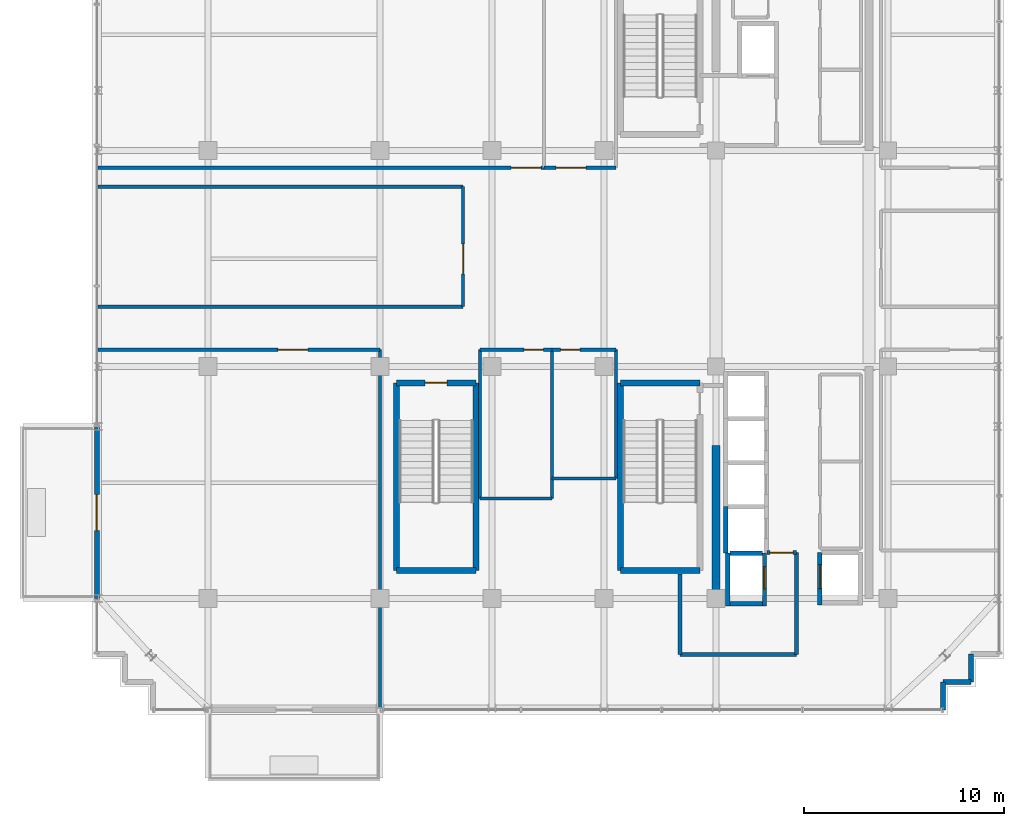
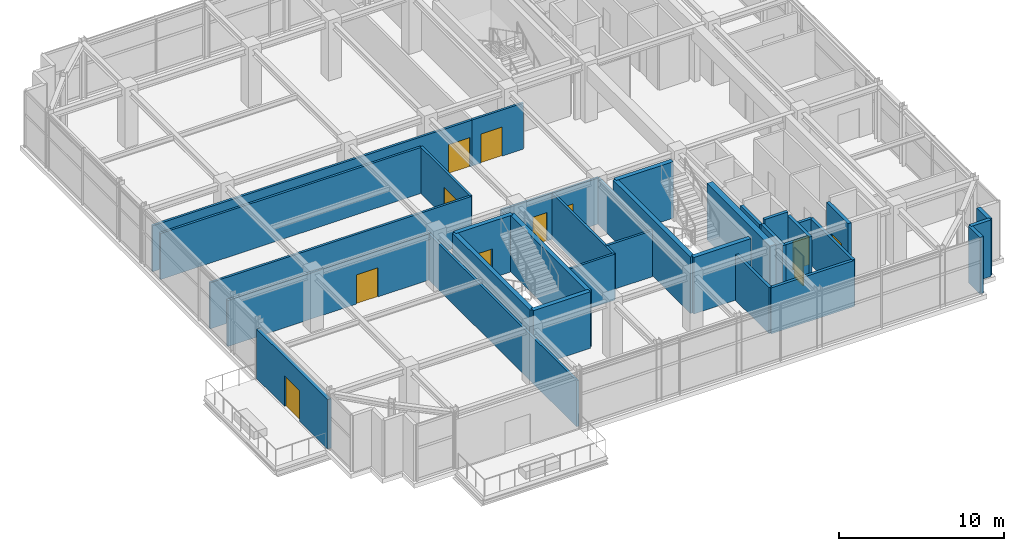
# One storey, part 19 of 25: 36 walls, 11 doors, 11 openings.
"""IFC4 building model written with IfcOpenShell, lengths in metres."""

from ifc_helpers import new_model, si_unit, direction, frame, frame_2d, origin, place, context, subcontext, project, spatial, rectangle, extrude, source, transform, mapped, material, layer, layer_set, type_object, element, fill, save


model = new_model("IFC4")

# Units and contexts
model_context = context("Model", 3, precision=1e-05, world=origin(), true_north=direction((0.0, 1.0)))
body_context = subcontext(model_context, "Body", "Model", "MODEL_VIEW")
ifc_project = project(units=[si_unit("LENGTHUNIT", "METRE"), si_unit("AREAUNIT", "SQUARE_METRE"), si_unit("VOLUMEUNIT", "CUBIC_METRE"), si_unit("PLANEANGLEUNIT", "RADIAN"), si_unit("MASSUNIT", "GRAM", prefix="KILO")], contexts=[model_context])

# Site, building, storey
site_placement = place(None, origin())
site = spatial("IfcSite", under=ifc_project, at=site_placement, CompositionType="ELEMENT")
building_placement = place(site_placement, origin())
building = spatial("IfcBuilding", under=site, at=building_placement, Name="Nahalor Promenade Grand Hotel", CompositionType="ELEMENT")
storey_placement = place(building_placement, frame((0.0, 0.0, 338.550048828125)))
storey = spatial("IfcBuildingStorey", under=building, at=storey_placement, Name="L87", CompositionType="ELEMENT", Elevation=338.550048828125)

# Walls
ifc_material_1 = material(Name="Concrete B-50 (C40/50)", Category="concrete")
ifc_layer_1 = layer(ifc_material_1, 0.39990234375)
ifc_layer_set_1 = layer_set([ifc_layer_1], Name="Concrete B-50 (C40/50)")
wall_type_1 = type_object("IfcWallType", Name="Wall-CoreShear-400", PredefinedType="SHEAR", material=ifc_layer_set_1)
shared_shape_1 = source(origin(), body_context, "Body", "SweptSolid", [
    extrude(rectangle(XDim=7.64990234375, YDim=0.39990234375, at=frame_2d((3.824951171875, 0.0))), origin(), (0.0, 0.0, 1.0), 4.169921875),
])
wall_1_placement = place(storey_placement, frame((8.39990234375, -17.0, 0.0), z_axis=(0.0, 0.0, 1.0), x_axis=(0.0, 1.0, 0.0)))
element("IfcWall", 1, at=wall_1_placement, inside=storey, type_object=wall_type_1, Name="CWALL-L87-SW", PredefinedType="SHEAR", context=body_context, shape_type="MappedRepresentation", body=[
    mapped(shared_shape_1, transform((0.0, 0.0, 0.0), scale=1.0)),
])
ifc_layer_2 = layer(ifc_material_1, 0.300048828125)
ifc_layer_set_2 = layer_set([ifc_layer_2], Name="Concrete B-50 (C40/50)")
wall_type_2 = type_object("IfcWallType", Name="Wall-ShaftShear-300", PredefinedType="SHEAR", material=ifc_layer_set_2)
shared_shape_2 = source(origin(), body_context, "Body", "SweptSolid", [
    extrude(rectangle(XDim=3.97998046875, YDim=0.300048828125, at=frame_2d((1.989990234375, 0.0))), origin(), (0.0, 0.0, 1.0), 4.169921875),
])
for number, where, z_axis, x_axis, name in (
    (2, (3.610107421875, -15.590087890625, 0.0), (0.0, 0.0, 1.0), (1.0, 0.0, 0.0), "L87 Exit Stair ST2 Shaft Wall S"),
    (3, (3.610107421875, -6.2099609375, 0.0), (0.0, 0.0, 1.0), (1.0, 0.0, 0.0), "L87 Exit Stair ST2 Shaft Wall N"),
    (4, (-7.590087890625, -15.590087890625, 0.0), (0.0, 0.0, 1.0), (1.0, 0.0, 0.0), "L87 Exit Stair ST3 Shaft Wall S"),
):
    element("IfcWall", number, at=place(storey_placement, frame(where, z_axis=z_axis, x_axis=x_axis)), inside=storey, type_object=wall_type_2, Name=name, PredefinedType="SHEAR", context=body_context, shape_type="MappedRepresentation", body=[
        mapped(shared_shape_2, transform((0.0, 0.0, 0.0), scale=1.0)),
    ])

# Wall, opening, door
wall_2_placement = place(storey_placement, frame((-7.590087890625, -6.2099609375, 0.0), z_axis=(0.0, 0.0, 1.0), x_axis=(1.0, 0.0, 0.0)))
wall_2 = element("IfcWall", 5, at=wall_2_placement, inside=storey, type_object=wall_type_2, Name="L87 Exit Stair ST3 Shaft Wall N", PredefinedType="SHEAR", context=body_context, shape_type="MappedRepresentation", body=[
    mapped(shared_shape_2, transform((0.0, 0.0, 0.0), scale=1.0)),
])
opening_1_placement = place(wall_2_placement, frame((1.43994140625, 0.0, 0.0)))
opening_1 = element("IfcOpeningElement", 6, at=opening_1_placement, cuts=wall_2, Name="Opening D-ST1", PredefinedType="OPENING", context=body_context, shape_type="SweptSolid", body=[
    extrude(rectangle(XDim=1.10009765625, YDim=2.14990234375, at=frame_2d((0.550048828125, 1.074951171875))), frame((0.0, 0.159912109375, 0.0), z_axis=(0.0, -1.0, 0.0), x_axis=(1.0, 0.0, 0.0)), (0.0, 0.0, 1.0), 0.320068359375),
])
ifc_material_2 = material(Name="Steel S355JR", Category="steel")
door_type_1 = type_object("IfcDoorType", Name="Door-StairFire-1100", OperationType="NOTDEFINED", PredefinedType="DOOR", material=ifc_material_2)
shared_shape_3 = source(origin(), body_context, "Body", "SweptSolid", [
    extrude(rectangle(XDim=1.10009765625, YDim=2.14990234375, at=frame_2d((0.550048828125, 1.074951171875))), frame((0.0, 0.02490234375, 0.0), z_axis=(0.0, -1.0, 0.0), x_axis=(1.0, 0.0, 0.0)), (0.0, 0.0, 1.0), 0.050048828125),
])
door_1_placement = place(opening_1_placement, frame((1.10009765625, 0.0, 0.0), z_axis=(0.0, 0.0, 1.0), x_axis=(-1.0, 0.0, 0.0)))
door_1 = element("IfcDoor", 7, at=door_1_placement, inside=storey, type_object=door_type_1, Name="DR-STAIR-ST3-L87", OperationType="SINGLE_SWING_RIGHT", OverallHeight=2.14990234375, OverallWidth=1.10009765625, PredefinedType="DOOR", context=body_context, shape_type="MappedRepresentation", body=[
    mapped(shared_shape_3, transform((0.0, 0.0, 0.0), scale=1.0)),
])
fill(opening_1, door_1)

# Walls
shared_shape_4 = source(origin(), body_context, "Body", "SweptSolid", [
    extrude(rectangle(XDim=9.380126953125, YDim=0.300048828125, at=frame_2d((4.68994140625, 0.0))), origin(), (0.0, 0.0, 1.0), 4.169921875),
])
for number, where, z_axis, x_axis, name in (
    (8, (3.610107421875, -15.590087890625, 0.0), (0.0, 0.0, 1.0), (0.0, 1.0, 0.0), "L87 Exit Stair ST2 Shaft Wall W"),
    (9, (-7.590087890625, -15.590087890625, 0.0), (0.0, 0.0, 1.0), (0.0, 1.0, 0.0), "L87 Exit Stair ST3 Shaft Wall W"),
    (10, (-3.610107421875, -15.590087890625, 0.0), (0.0, 0.0, 1.0), (0.0, 1.0, 0.0), "L87 Exit Stair ST3 Shaft Wall E"),
):
    element("IfcWall", number, at=place(storey_placement, frame(where, z_axis=z_axis, x_axis=x_axis)), inside=storey, type_object=wall_type_2, Name=name, PredefinedType="SHEAR", context=body_context, shape_type="MappedRepresentation", body=[
        mapped(shared_shape_4, transform((0.0, 0.0, 0.0), scale=1.0)),
    ])
ifc_layer_3 = layer(ifc_material_1, 0.219970703125)
ifc_layer_set_3 = layer_set([ifc_layer_3], Name="Concrete B-50 (C40/50)")
wall_type_3 = type_object("IfcWallType", Name="Wall-LiftShaft-220", PredefinedType="SHEAR", material=ifc_layer_set_3)
shared_shape_5 = source(origin(), body_context, "Body", "SweptSolid", [
    extrude(rectangle(XDim=2.3251953125, YDim=0.219970703125, at=frame_2d((1.16259765625, 0.0))), origin(), (0.0, 0.0, 1.0), 4.169921875),
])
wall_3_placement = place(storey_placement, frame((8.8798828125, -14.72509765625, 0.0), z_axis=(0.0, 0.0, 1.0), x_axis=(0.0, 1.0, 0.0)))
element("IfcWall", 11, at=wall_3_placement, inside=storey, type_object=wall_type_3, Name="L87 Lift PL12 Hoistway Wall W", PredefinedType="SHEAR", context=body_context, shape_type="MappedRepresentation", body=[
    mapped(shared_shape_5, transform((0.0, 0.0, 0.0), scale=1.0)),
])
shared_shape_6 = source(origin(), body_context, "Body", "SweptSolid", [
    extrude(rectangle(XDim=1.619873046875, YDim=0.219970703125, at=frame_2d((0.81005859375, 0.0))), origin(), (0.0, 0.0, 1.0), 4.5),
])
wall_4_placement = place(storey_placement, frame((9.090087890625, -14.72509765625, 0.0), z_axis=(0.0, 0.0, 1.0), x_axis=(1.0, 0.0, 0.0)))
element("IfcWall", 12, at=wall_4_placement, inside=storey, type_object=wall_type_3, Name="L87 Lift FL2 Hoistway Wall N", PredefinedType="SHEAR", context=body_context, shape_type="MappedRepresentation", body=[
    mapped(shared_shape_6, transform((0.0, 0.0, 0.0), scale=1.0)),
])
shared_shape_7 = source(origin(), body_context, "Body", "SweptSolid", [
    extrude(rectangle(XDim=2.635009765625, YDim=0.219970703125, at=frame_2d((1.3173828125, 0.0))), origin(), (0.0, 0.0, 1.0), 4.169921875),
])
wall_5_placement = place(storey_placement, frame((8.97998046875, -17.360107421875, 0.0), z_axis=(0.0, 0.0, 1.0), x_axis=(0.0, 1.0, 0.0)))
element("IfcWall", 13, at=wall_5_placement, inside=storey, type_object=wall_type_3, Name="L87 Lift FL2 Hoistway Wall W", PredefinedType="SHEAR", context=body_context, shape_type="MappedRepresentation", body=[
    mapped(shared_shape_7, transform((0.0, 0.0, 0.0), scale=1.0)),
])

# Wall, opening, door
wall_6_placement = place(storey_placement, frame((10.820068359375, -17.360107421875, 0.0), z_axis=(0.0, 0.0, 1.0), x_axis=(0.0, 1.0, 0.0)))
wall_6 = element("IfcWall", 14, at=wall_6_placement, inside=storey, type_object=wall_type_3, Name="L87 Lift FL2 Hoistway Wall E", PredefinedType="SHEAR", context=body_context, shape_type="MappedRepresentation", body=[
    mapped(shared_shape_7, transform((0.0, 0.0, 0.0), scale=1.0)),
])
opening_2_placement = place(wall_6_placement, frame((0.860107421875, 0.0, 0.0)))
opening_2 = element("IfcOpeningElement", 15, at=opening_2_placement, cuts=wall_6, Name="Opening LD-02", PredefinedType="OPENING", context=body_context, shape_type="SweptSolid", body=[
    extrude(rectangle(XDim=1.10009765625, YDim=2.199951171875, at=frame_2d((0.550048828125, 1.10009765625))), frame((0.0, 0.119873046875, 0.0), z_axis=(0.0, -1.0, 0.0), x_axis=(1.0, 0.0, 0.0)), (0.0, 0.0, 1.0), 0.239990234375),
])
door_type_2 = type_object("IfcDoorType", Name="Door-LiftFF-1100", OperationType="DOUBLE_DOOR_SLIDING", PredefinedType="DOOR", material=ifc_material_2)
shared_shape_8 = source(origin(), body_context, "Body", "SweptSolid", [
    extrude(rectangle(XDim=1.10009765625, YDim=2.199951171875, at=frame_2d((0.550048828125, 1.10009765625))), frame((0.0, 0.02490234375, 0.0), z_axis=(0.0, -1.0, 0.0), x_axis=(1.0, 0.0, 0.0)), (0.0, 0.0, 1.0), 0.050048828125),
])
door_2_placement = place(opening_2_placement, frame((1.10009765625, 0.0, 0.0), z_axis=(0.0, 0.0, 1.0), x_axis=(-1.0, 0.0, 0.0)))
door_2 = element("IfcDoor", 16, at=door_2_placement, inside=storey, type_object=door_type_2, Name="DR-LIFT-FL2-L87", OperationType="DOUBLE_DOOR_SLIDING", OverallHeight=2.199951171875, OverallWidth=1.10009765625, PredefinedType="DOOR", context=body_context, shape_type="MappedRepresentation", body=[
    mapped(shared_shape_8, transform((0.0, 0.0, 0.0), scale=1.0)),
])
fill(opening_2, door_2)

# Wall
shared_shape_9 = source(origin(), body_context, "Body", "SweptSolid", [
    extrude(rectangle(XDim=1.619873046875, YDim=0.219970703125, at=frame_2d((0.81005859375, 0.0))), origin(), (0.0, 0.0, 1.0), 4.169921875),
])
wall_7_placement = place(storey_placement, frame((9.090087890625, -17.25, 0.0), z_axis=(0.0, 0.0, 1.0), x_axis=(1.0, 0.0, 0.0)))
element("IfcWall", 17, at=wall_7_placement, inside=storey, type_object=wall_type_3, Name="L87 Lift FL2 Hoistway Wall S", PredefinedType="SHEAR", context=body_context, shape_type="MappedRepresentation", body=[
    mapped(shared_shape_9, transform((0.0, 0.0, 0.0), scale=1.0)),
])

# Wall, opening, door
shared_shape_10 = source(origin(), body_context, "Body", "SweptSolid", [
    extrude(rectangle(XDim=2.610107421875, YDim=0.219970703125, at=frame_2d((1.30517578125, 0.0))), origin(), (0.0, 0.0, 1.0), 4.169921875),
])
wall_8_placement = place(storey_placement, frame((13.580078125, -17.31005859375, 0.0), z_axis=(0.0, 0.0, 1.0), x_axis=(0.0, 1.0, 0.0)))
wall_8 = element("IfcWall", 18, at=wall_8_placement, inside=storey, type_object=wall_type_3, Name="L87 Lift SV2 Hoistway Wall W", PredefinedType="SHEAR", context=body_context, shape_type="MappedRepresentation", body=[
    mapped(shared_shape_10, transform((0.0, 0.0, 0.0), scale=1.0)),
])
opening_3_placement = place(wall_8_placement, frame((0.81005859375, 0.0, 0.0)))
opening_3 = element("IfcOpeningElement", 19, at=opening_3_placement, cuts=wall_8, Name="Opening LD-03", PredefinedType="OPENING", context=body_context, shape_type="SweptSolid", body=[
    extrude(rectangle(XDim=1.199951171875, YDim=2.199951171875, at=frame_2d((0.60009765625, 1.10009765625))), frame((0.0, 0.119873046875, 0.0), z_axis=(0.0, -1.0, 0.0), x_axis=(1.0, 0.0, 0.0)), (0.0, 0.0, 1.0), 0.239990234375),
])
door_type_3 = type_object("IfcDoorType", Name="Door-LiftService-1200", OperationType="DOUBLE_DOOR_SLIDING", PredefinedType="DOOR", material=ifc_material_2)
shared_shape_11 = source(origin(), body_context, "Body", "SweptSolid", [
    extrude(rectangle(XDim=1.199951171875, YDim=2.199951171875, at=frame_2d((0.60009765625, 1.10009765625))), frame((0.0, 0.02490234375, 0.0), z_axis=(0.0, -1.0, 0.0), x_axis=(1.0, 0.0, 0.0)), (0.0, 0.0, 1.0), 0.050048828125),
])
door_3_placement = place(opening_3_placement, origin())
door_3 = element("IfcDoor", 20, at=door_3_placement, inside=storey, type_object=door_type_3, Name="DR-LIFT-SV2-L87", OperationType="DOUBLE_DOOR_SLIDING", OverallHeight=2.199951171875, OverallWidth=1.199951171875, PredefinedType="DOOR", context=body_context, shape_type="MappedRepresentation", body=[
    mapped(shared_shape_11, transform((0.0, 0.0, 0.0), scale=1.0)),
])
fill(opening_3, door_3)

# Walls
ifc_material_3 = material(Name="Concrete B-40 (C32/40)", Category="concrete")
ifc_layer_4 = layer(ifc_material_3, 0.25)
ifc_layer_set_4 = layer_set([ifc_layer_4], Name="Concrete B-40 (C32/40)")
wall_type_4 = type_object("IfcWallType", Name="Wall-BronzePier-250", PredefinedType="STANDARD", material=ifc_layer_set_4)
shared_shape_12 = source(origin(), body_context, "Body", "SweptSolid", [
    extrude(rectangle(XDim=1.400146484375, YDim=0.25, at=frame_2d((0.7001953125, 0.0))), origin(), (0.0, 0.0, 1.0), 4.169921875),
])
wall_9_placement = place(storey_placement, frame((19.760009765625, -22.56005859375, 0.0), z_axis=(0.0, 0.0, 1.0), x_axis=(0.0, 1.0, 0.0)))
element("IfcWall", 21, at=wall_9_placement, inside=storey, type_object=wall_type_4, Name="W-L87-SR-01", PredefinedType="STANDARD", context=body_context, shape_type="MappedRepresentation", body=[
    mapped(shared_shape_12, transform((0.0, 0.0, 0.0), scale=1.0)),
])
shared_shape_13 = source(origin(), body_context, "Body", "SweptSolid", [
    extrude(rectangle(XDim=1.39990234375, YDim=0.25, at=frame_2d((0.699951171875, 0.0))), origin(), (0.0, 0.0, 1.0), 4.169921875),
])
for number, where, z_axis, x_axis, name in (
    (22, (19.760009765625, -21.159912109375, 0.0), (0.0, 0.0, 1.0), (1.0, 0.0, 0.0), "W-L87-SR-02"),
    (23, (21.159912109375, -21.159912109375, 0.0), (0.0, 0.0, 1.0), (0.0, 1.0, 0.0), "W-L87-SR-03"),
):
    element("IfcWall", number, at=place(storey_placement, frame(where, z_axis=z_axis, x_axis=x_axis)), inside=storey, type_object=wall_type_4, Name=name, PredefinedType="STANDARD", context=body_context, shape_type="MappedRepresentation", body=[
        mapped(shared_shape_13, transform((0.0, 0.0, 0.0), scale=1.0)),
    ])

# Wall, opening, door
ifc_layer_5 = layer(ifc_material_3, 0.260009765625)
ifc_layer_set_5 = layer_set([ifc_layer_5], Name="Concrete B-40 (C32/40)")
wall_type_5 = type_object("IfcWallType", Name="Wall-BalconyWall-260", PredefinedType="STANDARD", material=ifc_layer_set_5)
shared_shape_14 = source(origin(), body_context, "Body", "SweptSolid", [
    extrude(rectangle(XDim=8.60009765625, YDim=0.260009765625, at=frame_2d((4.300048828125, 0.0))), origin(), (0.0, 0.0, 1.0), 3.64990234375),
])
wall_10_placement = place(storey_placement, frame((-22.56005859375, -17.0, 0.0), z_axis=(0.0, 0.0, 1.0), x_axis=(0.0, 1.0, 0.0)))
wall_10 = element("IfcWall", 24, at=wall_10_placement, inside=storey, type_object=wall_type_5, Name="W-L87-BALC-W-2", PredefinedType="STANDARD", context=body_context, shape_type="MappedRepresentation", body=[
    mapped(shared_shape_14, transform((0.0, 0.0, 0.0), scale=1.0)),
])
opening_4_placement = place(wall_10_placement, frame((3.39990234375, 0.0, 0.0)))
opening_4 = element("IfcOpeningElement", 25, at=opening_4_placement, cuts=wall_10, Name="Opening D-BC1", PredefinedType="OPENING", context=body_context, shape_type="SweptSolid", body=[
    extrude(rectangle(XDim=1.800048828125, YDim=2.25, at=frame_2d((0.89990234375, 1.125))), frame((0.0, 0.139892578125, 0.0), z_axis=(0.0, -1.0, 0.0), x_axis=(1.0, 0.0, 0.0)), (0.0, 0.0, 1.0), 0.280029296875),
])
ifc_material_4 = material(Name="Anodised Bronze Aluminium EN AW-6063 T6", Category="aluminium")
door_type_4 = type_object("IfcDoorType", Name="Door-BalconySlide-1800", OperationType="DOUBLE_DOOR_SLIDING", PredefinedType="DOOR", material=ifc_material_4)
shared_shape_15 = source(origin(), body_context, "Body", "SweptSolid", [
    extrude(rectangle(XDim=1.800048828125, YDim=2.25, at=frame_2d((0.89990234375, 1.125))), frame((0.0, 0.02490234375, 0.0), z_axis=(0.0, -1.0, 0.0), x_axis=(1.0, 0.0, 0.0)), (0.0, 0.0, 1.0), 0.050048828125),
])
door_4_placement = place(opening_4_placement, origin())
door_4 = element("IfcDoor", 26, at=door_4_placement, inside=storey, type_object=door_type_4, Name="DR-L87-BALC-W-2", OperationType="DOUBLE_DOOR_SLIDING", OverallHeight=2.25, OverallWidth=1.800048828125, PredefinedType="DOOR", context=body_context, shape_type="MappedRepresentation", body=[
    mapped(shared_shape_15, transform((0.0, 0.0, 0.0), scale=1.0)),
])
fill(opening_4, door_4)

# Walls
ifc_layer_6 = layer(ifc_material_3, 0.199951171875)
ifc_layer_set_6 = layer_set([ifc_layer_6], Name="Concrete B-40 (C32/40)")
wall_type_6 = type_object("IfcWallType", Name="Wall-PartFire-200", PredefinedType="PARTITIONING", material=ifc_layer_set_6)
shared_shape_16 = source(origin(), body_context, "Body", "SweptSolid", [
    extrude(rectangle(XDim=5.81982421875, YDim=0.199951171875, at=frame_2d((2.909912109375, 0.0))), origin(), (0.0, 0.0, 1.0), 3.39990234375),
])
wall_11_placement = place(storey_placement, frame((6.60009765625, -19.800048828125, 0.0), z_axis=(0.0, 0.0, 1.0), x_axis=(1.0, 0.0, 0.0)))
element("IfcWall", 27, at=wall_11_placement, inside=storey, type_object=wall_type_6, Name="W-L87-FF2-S1", PredefinedType="PARTITIONING", context=body_context, shape_type="MappedRepresentation", body=[
    mapped(shared_shape_16, transform((0.0, 0.0, 0.0), scale=1.0)),
])
shared_shape_17 = source(origin(), body_context, "Body", "SweptSolid", [
    extrude(rectangle(XDim=4.030029296875, YDim=0.199951171875, at=frame_2d((2.01513671875, 0.0))), origin(), (0.0, 0.0, 1.0), 3.39990234375),
])
wall_12_placement = place(storey_placement, frame((6.60009765625, -19.800048828125, 0.0), z_axis=(0.0, 0.0, 1.0), x_axis=(0.0, 1.0, 0.0)))
element("IfcWall", 28, at=wall_12_placement, inside=storey, type_object=wall_type_6, Name="W-L87-FF2-W1", PredefinedType="PARTITIONING", context=body_context, shape_type="MappedRepresentation", body=[
    mapped(shared_shape_17, transform((0.0, 0.0, 0.0), scale=1.0)),
])
shared_shape_18 = source(origin(), body_context, "Body", "SweptSolid", [
    extrude(rectangle(XDim=5.10009765625, YDim=0.199951171875, at=frame_2d((2.550048828125, 0.0))), origin(), (0.0, 0.0, 1.0), 3.39990234375),
])
wall_13_placement = place(storey_placement, frame((12.419921875, -19.800048828125, 0.0), z_axis=(0.0, 0.0, 1.0), x_axis=(0.0, 1.0, 0.0)))
element("IfcWall", 29, at=wall_13_placement, inside=storey, type_object=wall_type_6, Name="W-L87-FF2-E", PredefinedType="PARTITIONING", context=body_context, shape_type="MappedRepresentation", body=[
    mapped(shared_shape_18, transform((0.0, 0.0, 0.0), scale=1.0)),
])

# Wall, opening, door
shared_shape_19 = source(origin(), body_context, "Body", "SweptSolid", [
    extrude(rectangle(XDim=1.4599609375, YDim=0.199951171875, at=frame_2d((0.72998046875, 0.0))), origin(), (0.0, 0.0, 1.0), 3.39990234375),
])
wall_14_placement = place(storey_placement, frame((10.9599609375, -14.699951171875, 0.0), z_axis=(0.0, 0.0, 1.0), x_axis=(1.0, 0.0, 0.0)))
wall_14 = element("IfcWall", 30, at=wall_14_placement, inside=storey, type_object=wall_type_6, Name="W-L87-FF2-N1", PredefinedType="PARTITIONING", context=body_context, shape_type="MappedRepresentation", body=[
    mapped(shared_shape_19, transform((0.0, 0.0, 0.0), scale=1.0)),
])
opening_5_placement = place(wall_14_placement, frame((0.14501953125, 0.0, 0.0)))
opening_5 = element("IfcOpeningElement", 31, at=opening_5_placement, cuts=wall_14, Name="Opening D-FF1", PredefinedType="OPENING", context=body_context, shape_type="SweptSolid", body=[
    extrude(rectangle(XDim=1.14990234375, YDim=2.14990234375, at=frame_2d((0.574951171875, 1.074951171875))), frame((0.0, 0.10986328125, 0.0), z_axis=(0.0, -1.0, 0.0), x_axis=(1.0, 0.0, 0.0)), (0.0, 0.0, 1.0), 0.219970703125),
])
door_type_5 = type_object("IfcDoorType", Name="Door-FFLobby-1150", OperationType="NOTDEFINED", PredefinedType="DOOR", material=ifc_material_2)
shared_shape_20 = source(origin(), body_context, "Body", "SweptSolid", [
    extrude(rectangle(XDim=1.14990234375, YDim=2.14990234375, at=frame_2d((0.574951171875, 1.074951171875))), frame((0.0, 0.02490234375, 0.0), z_axis=(0.0, -1.0, 0.0), x_axis=(1.0, 0.0, 0.0)), (0.0, 0.0, 1.0), 0.050048828125),
])
door_5_placement = place(opening_5_placement, origin())
door_5 = element("IfcDoor", 32, at=door_5_placement, inside=storey, type_object=door_type_5, Name="DR-L87-FFL2", OperationType="SINGLE_SWING_RIGHT", OverallHeight=2.14990234375, OverallWidth=1.14990234375, PredefinedType="DOOR", context=body_context, shape_type="MappedRepresentation", body=[
    mapped(shared_shape_20, transform((0.0, 0.0, 0.0), scale=1.0)),
])
fill(opening_5, door_5)

# Walls
ifc_material_5 = material(Name="Acoustic Mineral Gypsum", Category="gypsum")
ifc_layer_7 = layer(ifc_material_5, 0.159912109375)
ifc_layer_set_7 = layer_set([ifc_layer_7], Name="Acoustic Mineral Gypsum")
wall_type_7 = type_object("IfcWallType", Name="Wall-PartCorridor-160", PredefinedType="PARTITIONING", material=ifc_layer_set_7)
shared_shape_21 = source(origin(), body_context, "Body", "SweptSolid", [
    extrude(rectangle(XDim=7.449951171875, YDim=0.159912109375, at=frame_2d((3.72509765625, 0.0))), origin(), (0.0, 0.0, 1.0), 3.39990234375),
])
for number, where, z_axis, x_axis, name in (
    (33, (-3.39990234375, -12.0, 0.0), (0.0, 0.0, 1.0), (0.0, 1.0, 0.0), "W-L87-SK08-W"),
    (34, (0.199951171875, -12.0, 0.0), (0.0, 0.0, 1.0), (0.0, 1.0, 0.0), "W-L87-SK08-E"),
):
    element("IfcWall", number, at=place(storey_placement, frame(where, z_axis=z_axis, x_axis=x_axis)), inside=storey, type_object=wall_type_7, Name=name, PredefinedType="PARTITIONING", context=body_context, shape_type="MappedRepresentation", body=[
        mapped(shared_shape_21, transform((0.0, 0.0, 0.0), scale=1.0)),
    ])
shared_shape_22 = source(origin(), body_context, "Body", "SweptSolid", [
    extrude(rectangle(XDim=18.25, YDim=0.159912109375, at=frame_2d((9.125, 0.0))), origin(), (0.0, 0.0, 1.0), 3.39990234375),
])
for number, where, z_axis, x_axis, name in (
    (35, (-22.5, -2.39990234375, 0.0), (0.0, 0.0, 1.0), (1.0, 0.0, 0.0), "W-L87-SK01-S"),
    (36, (-22.5, 3.60009765625, 0.0), (0.0, 0.0, 1.0), (1.0, 0.0, 0.0), "W-L87-SK01-N"),
):
    element("IfcWall", number, at=place(storey_placement, frame(where, z_axis=z_axis, x_axis=x_axis)), inside=storey, type_object=wall_type_7, Name=name, PredefinedType="PARTITIONING", context=body_context, shape_type="MappedRepresentation", body=[
        mapped(shared_shape_22, transform((0.0, 0.0, 0.0), scale=1.0)),
    ])

# Wall, opening, door
shared_shape_23 = source(origin(), body_context, "Body", "SweptSolid", [
    extrude(rectangle(XDim=6.0, YDim=0.159912109375, at=frame_2d((3.0, 0.0))), origin(), (0.0, 0.0, 1.0), 3.39990234375),
])
wall_15_placement = place(storey_placement, frame((-4.25, -2.39990234375, 0.0), z_axis=(0.0, 0.0, 1.0), x_axis=(0.0, 1.0, 0.0)))
wall_15 = element("IfcWall", 37, at=wall_15_placement, inside=storey, type_object=wall_type_7, Name="W-L87-SK01-E", PredefinedType="PARTITIONING", context=body_context, shape_type="MappedRepresentation", body=[
    mapped(shared_shape_23, transform((0.0, 0.0, 0.0), scale=1.0)),
])
opening_6_placement = place(wall_15_placement, frame((1.64404296875, 0.0, 0.0)))
opening_6 = element("IfcOpeningElement", 38, at=opening_6_placement, cuts=wall_15, Name="Opening D-02", PredefinedType="OPENING", context=body_context, shape_type="SweptSolid", body=[
    extrude(rectangle(XDim=1.5, YDim=2.14990234375, at=frame_2d((0.75, 1.074951171875))), frame((0.0, 0.08984375, 0.0), z_axis=(0.0, -1.0, 0.0), x_axis=(1.0, 0.0, 0.0)), (0.0, 0.0, 1.0), 0.179931640625),
])
ifc_material_6 = material(Name="Fire-Rated Timber Composite", Category="wood")
door_type_6 = type_object("IfcDoorType", Name="Door-SuiteDouble-1500", OperationType="DOUBLE_DOOR_SINGLE_SWING", PredefinedType="DOOR", material=ifc_material_6)
shared_shape_24 = source(origin(), body_context, "Body", "SweptSolid", [
    extrude(rectangle(XDim=1.5, YDim=2.14990234375, at=frame_2d((0.75, 1.074951171875))), frame((0.0, 0.02490234375, 0.0), z_axis=(0.0, -1.0, 0.0), x_axis=(1.0, 0.0, 0.0)), (0.0, 0.0, 1.0), 0.050048828125),
])
door_6_placement = place(opening_6_placement, origin())
door_6 = element("IfcDoor", 39, at=door_6_placement, inside=storey, type_object=door_type_6, Name="DR-L87-SK01", OperationType="DOUBLE_DOOR_SINGLE_SWING", OverallHeight=2.14990234375, OverallWidth=1.5, PredefinedType="DOOR", context=body_context, shape_type="MappedRepresentation", body=[
    mapped(shared_shape_24, transform((0.0, 0.0, 0.0), scale=1.0)),
])
fill(opening_6, door_6)

shared_shape_25 = source(origin(), body_context, "Body", "SweptSolid", [
    extrude(rectangle(XDim=22.300048828125, YDim=0.159912109375, at=frame_2d((11.14990234375, 0.0))), origin(), (0.0, 0.0, 1.0), 3.39990234375),
])
wall_16_placement = place(storey_placement, frame((-22.5, 4.550048828125, 0.0), z_axis=(0.0, 0.0, 1.0), x_axis=(1.0, 0.0, 0.0)))
wall_16 = element("IfcWall", 40, at=wall_16_placement, inside=storey, type_object=wall_type_7, Name="W-L87-SK03-S", PredefinedType="PARTITIONING", context=body_context, shape_type="MappedRepresentation", body=[
    mapped(shared_shape_25, transform((0.0, 0.0, 0.0), scale=1.0)),
])
opening_7_placement = place(wall_16_placement, frame((20.64990234375, 0.0, 0.0)))
opening_7 = element("IfcOpeningElement", 41, at=opening_7_placement, cuts=wall_16, Name="Opening D-02", PredefinedType="OPENING", context=body_context, shape_type="SweptSolid", body=[
    extrude(rectangle(XDim=1.5, YDim=2.14990234375, at=frame_2d((0.75, 1.074951171875))), frame((0.0, 0.08984375, 0.0), z_axis=(0.0, -1.0, 0.0), x_axis=(1.0, 0.0, 0.0)), (0.0, 0.0, 1.0), 0.179931640625),
])
door_7_placement = place(opening_7_placement, origin())
door_7 = element("IfcDoor", 42, at=door_7_placement, inside=storey, type_object=door_type_6, Name="DR-L87-SK03", OperationType="DOUBLE_DOOR_SINGLE_SWING", OverallHeight=2.14990234375, OverallWidth=1.5, PredefinedType="DOOR", context=body_context, shape_type="MappedRepresentation", body=[
    mapped(shared_shape_24, transform((0.0, 0.0, 0.0), scale=1.0)),
])
fill(opening_7, door_7)

# Wall
shared_shape_26 = source(origin(), body_context, "Body", "SweptSolid", [
    extrude(rectangle(XDim=17.949951171875, YDim=0.159912109375, at=frame_2d((8.97509765625, 0.0))), origin(), (0.0, 0.0, 1.0), 3.39990234375),
])
wall_17_placement = place(storey_placement, frame((-8.39990234375, -22.5, 0.0), z_axis=(0.0, 0.0, 1.0), x_axis=(0.0, 1.0, 0.0)))
element("IfcWall", 43, at=wall_17_placement, inside=storey, type_object=wall_type_7, Name="W-L87-SK05-E", PredefinedType="PARTITIONING", context=body_context, shape_type="MappedRepresentation", body=[
    mapped(shared_shape_26, transform((0.0, 0.0, 0.0), scale=1.0)),
])

# Wall, opening, door
shared_shape_27 = source(origin(), body_context, "Body", "SweptSolid", [
    extrude(rectangle(XDim=3.599853515625, YDim=0.159912109375, at=frame_2d((1.7998046875, 0.0))), origin(), (0.0, 0.0, 1.0), 3.39990234375),
])
wall_18_placement = place(storey_placement, frame((-0.199951171875, 4.550048828125, 0.0), z_axis=(0.0, 0.0, 1.0), x_axis=(1.0, 0.0, 0.0)))
wall_18 = element("IfcWall", 44, at=wall_18_placement, inside=storey, type_object=wall_type_7, Name="W-L87-SK04-S", PredefinedType="PARTITIONING", context=body_context, shape_type="MappedRepresentation", body=[
    mapped(shared_shape_27, transform((0.0, 0.0, 0.0), scale=1.0)),
])
opening_8_placement = place(wall_18_placement, frame((0.60009765625, 0.0, 0.0)))
opening_8 = element("IfcOpeningElement", 45, at=opening_8_placement, cuts=wall_18, Name="Opening D-02", PredefinedType="OPENING", context=body_context, shape_type="SweptSolid", body=[
    extrude(rectangle(XDim=1.5, YDim=2.14990234375, at=frame_2d((0.75, 1.074951171875))), frame((0.0, 0.08984375, 0.0), z_axis=(0.0, -1.0, 0.0), x_axis=(1.0, 0.0, 0.0)), (0.0, 0.0, 1.0), 0.179931640625),
])
door_8_placement = place(opening_8_placement, origin())
door_8 = element("IfcDoor", 46, at=door_8_placement, inside=storey, type_object=door_type_6, Name="DR-L87-SK04", OperationType="DOUBLE_DOOR_SINGLE_SWING", OverallHeight=2.14990234375, OverallWidth=1.5, PredefinedType="DOOR", context=body_context, shape_type="MappedRepresentation", body=[
    mapped(shared_shape_24, transform((0.0, 0.0, 0.0), scale=1.0)),
])
fill(opening_8, door_8)

# Wall
wall_19_placement = place(storey_placement, frame((-3.39990234375, -12.0, 0.0), z_axis=(0.0, 0.0, 1.0), x_axis=(1.0, 0.0, 0.0)))
element("IfcWall", 47, at=wall_19_placement, inside=storey, type_object=wall_type_7, Name="W-L87-SK08-S", PredefinedType="PARTITIONING", context=body_context, shape_type="MappedRepresentation", body=[
    mapped(shared_shape_27, transform((0.0, 0.0, 0.0), scale=1.0)),
])

# Wall, opening, door
wall_20_placement = place(storey_placement, frame((-3.39990234375, -4.550048828125, 0.0), z_axis=(0.0, 0.0, 1.0), x_axis=(1.0, 0.0, 0.0)))
wall_20 = element("IfcWall", 48, at=wall_20_placement, inside=storey, type_object=wall_type_7, Name="W-L87-SK08-N", PredefinedType="PARTITIONING", context=body_context, shape_type="MappedRepresentation", body=[
    mapped(shared_shape_27, transform((0.0, 0.0, 0.0), scale=1.0)),
])
opening_9_placement = place(wall_20_placement, frame((2.18994140625, 0.0, 0.0)))
opening_9 = element("IfcOpeningElement", 49, at=opening_9_placement, cuts=wall_20, Name="Opening D-05", PredefinedType="OPENING", context=body_context, shape_type="SweptSolid", body=[
    extrude(rectangle(XDim=0.97998046875, YDim=2.10009765625, at=frame_2d((0.489990234375, 1.050048828125))), frame((0.0, 0.08984375, 0.0), z_axis=(0.0, -1.0, 0.0), x_axis=(1.0, 0.0, 0.0)), (0.0, 0.0, 1.0), 0.179931640625),
])
door_type_7 = type_object("IfcDoorType", Name="Door-AccessibleWC-980", OperationType="NOTDEFINED", PredefinedType="DOOR", material=ifc_material_6)
shared_shape_28 = source(origin(), body_context, "Body", "SweptSolid", [
    extrude(rectangle(XDim=0.97998046875, YDim=2.10009765625, at=frame_2d((0.489990234375, 1.050048828125))), frame((0.0, 0.02490234375, 0.0), z_axis=(0.0, -1.0, 0.0), x_axis=(1.0, 0.0, 0.0)), (0.0, 0.0, 1.0), 0.050048828125),
])
door_9_placement = place(opening_9_placement, frame((0.97998046875, 0.0, 0.0), z_axis=(0.0, 0.0, 1.0), x_axis=(-1.0, 0.0, 0.0)))
door_9 = element("IfcDoor", 50, at=door_9_placement, inside=storey, type_object=door_type_7, Name="DR-L87-SK08", OperationType="SINGLE_SWING_LEFT", OverallHeight=2.10009765625, OverallWidth=0.97998046875, PredefinedType="DOOR", context=body_context, shape_type="MappedRepresentation", body=[
    mapped(shared_shape_28, transform((0.0, 0.0, 0.0), scale=1.0)),
])
fill(opening_9, door_9)

shared_shape_29 = source(origin(), body_context, "Body", "SweptSolid", [
    extrude(rectangle(XDim=14.10009765625, YDim=0.159912109375, at=frame_2d((7.050048828125, 0.0))), origin(), (0.0, 0.0, 1.0), 3.39990234375),
])
wall_21_placement = place(storey_placement, frame((-22.5, -4.550048828125, 0.0), z_axis=(0.0, 0.0, 1.0), x_axis=(1.0, 0.0, 0.0)))
wall_21 = element("IfcWall", 51, at=wall_21_placement, inside=storey, type_object=wall_type_7, Name="W-L87-SK05-N", PredefinedType="PARTITIONING", context=body_context, shape_type="MappedRepresentation", body=[
    mapped(shared_shape_29, transform((0.0, 0.0, 0.0), scale=1.0)),
])
opening_10_placement = place(wall_21_placement, frame((8.98291015625, 0.0, 0.0)))
opening_10 = element("IfcOpeningElement", 52, at=opening_10_placement, cuts=wall_21, Name="Opening D-02", PredefinedType="OPENING", context=body_context, shape_type="SweptSolid", body=[
    extrude(rectangle(XDim=1.5, YDim=2.14990234375, at=frame_2d((0.75, 1.074951171875))), frame((0.0, 0.08984375, 0.0), z_axis=(0.0, -1.0, 0.0), x_axis=(1.0, 0.0, 0.0)), (0.0, 0.0, 1.0), 0.179931640625),
])
door_10_placement = place(opening_10_placement, frame((1.5, 0.0, 0.0), z_axis=(0.0, 0.0, 1.0), x_axis=(-1.0, 0.0, 0.0)))
door_10 = element("IfcDoor", 53, at=door_10_placement, inside=storey, type_object=door_type_6, Name="DR-L87-SK05", OperationType="DOUBLE_DOOR_SINGLE_SWING", OverallHeight=2.14990234375, OverallWidth=1.5, PredefinedType="DOOR", context=body_context, shape_type="MappedRepresentation", body=[
    mapped(shared_shape_24, transform((0.0, 0.0, 0.0), scale=1.0)),
])
fill(opening_10, door_10)

# Wall
shared_shape_30 = source(origin(), body_context, "Body", "SweptSolid", [
    extrude(rectangle(XDim=3.199951171875, YDim=0.159912109375, at=frame_2d((1.60009765625, 0.0))), origin(), (0.0, 0.0, 1.0), 3.39990234375),
])
wall_22_placement = place(storey_placement, frame((0.199951171875, -11.0, 0.0), z_axis=(0.0, 0.0, 1.0), x_axis=(1.0, 0.0, 0.0)))
element("IfcWall", 54, at=wall_22_placement, inside=storey, type_object=wall_type_7, Name="W-L87-SK09-S", PredefinedType="PARTITIONING", context=body_context, shape_type="MappedRepresentation", body=[
    mapped(shared_shape_30, transform((0.0, 0.0, 0.0), scale=1.0)),
])

# Wall, opening, door
wall_23_placement = place(storey_placement, frame((0.199951171875, -4.550048828125, 0.0), z_axis=(0.0, 0.0, 1.0), x_axis=(1.0, 0.0, 0.0)))
wall_23 = element("IfcWall", 55, at=wall_23_placement, inside=storey, type_object=wall_type_7, Name="W-L87-SK09-N", PredefinedType="PARTITIONING", context=body_context, shape_type="MappedRepresentation", body=[
    mapped(shared_shape_30, transform((0.0, 0.0, 0.0), scale=1.0)),
])
opening_11_placement = place(wall_23_placement, frame((0.4208984375, 0.0, 0.0)))
opening_11 = element("IfcOpeningElement", 56, at=opening_11_placement, cuts=wall_23, Name="Opening D-05", PredefinedType="OPENING", context=body_context, shape_type="SweptSolid", body=[
    extrude(rectangle(XDim=0.97998046875, YDim=2.10009765625, at=frame_2d((0.489990234375, 1.050048828125))), frame((0.0, 0.08984375, 0.0), z_axis=(0.0, -1.0, 0.0), x_axis=(1.0, 0.0, 0.0)), (0.0, 0.0, 1.0), 0.179931640625),
])
door_11_placement = place(opening_11_placement, frame((0.97998046875, 0.0, 0.0), z_axis=(0.0, 0.0, 1.0), x_axis=(-1.0, 0.0, 0.0)))
door_11 = element("IfcDoor", 57, at=door_11_placement, inside=storey, type_object=door_type_7, Name="DR-L87-SK09", OperationType="SINGLE_SWING_RIGHT", OverallHeight=2.10009765625, OverallWidth=0.97998046875, PredefinedType="DOOR", context=body_context, shape_type="MappedRepresentation", body=[
    mapped(shared_shape_28, transform((0.0, 0.0, 0.0), scale=1.0)),
])
fill(opening_11, door_11)

# Wall
shared_shape_31 = source(origin(), body_context, "Body", "SweptSolid", [
    extrude(rectangle(XDim=6.449951171875, YDim=0.159912109375, at=frame_2d((3.22509765625, 0.0))), origin(), (0.0, 0.0, 1.0), 3.39990234375),
])
wall_24_placement = place(storey_placement, frame((3.39990234375, -11.0, 0.0), z_axis=(0.0, 0.0, 1.0), x_axis=(0.0, 1.0, 0.0)))
element("IfcWall", 58, at=wall_24_placement, inside=storey, type_object=wall_type_7, Name="W-L87-SK09-E", PredefinedType="PARTITIONING", context=body_context, shape_type="MappedRepresentation", body=[
    mapped(shared_shape_31, transform((0.0, 0.0, 0.0), scale=1.0)),
])

save(model, "model.ifc")
